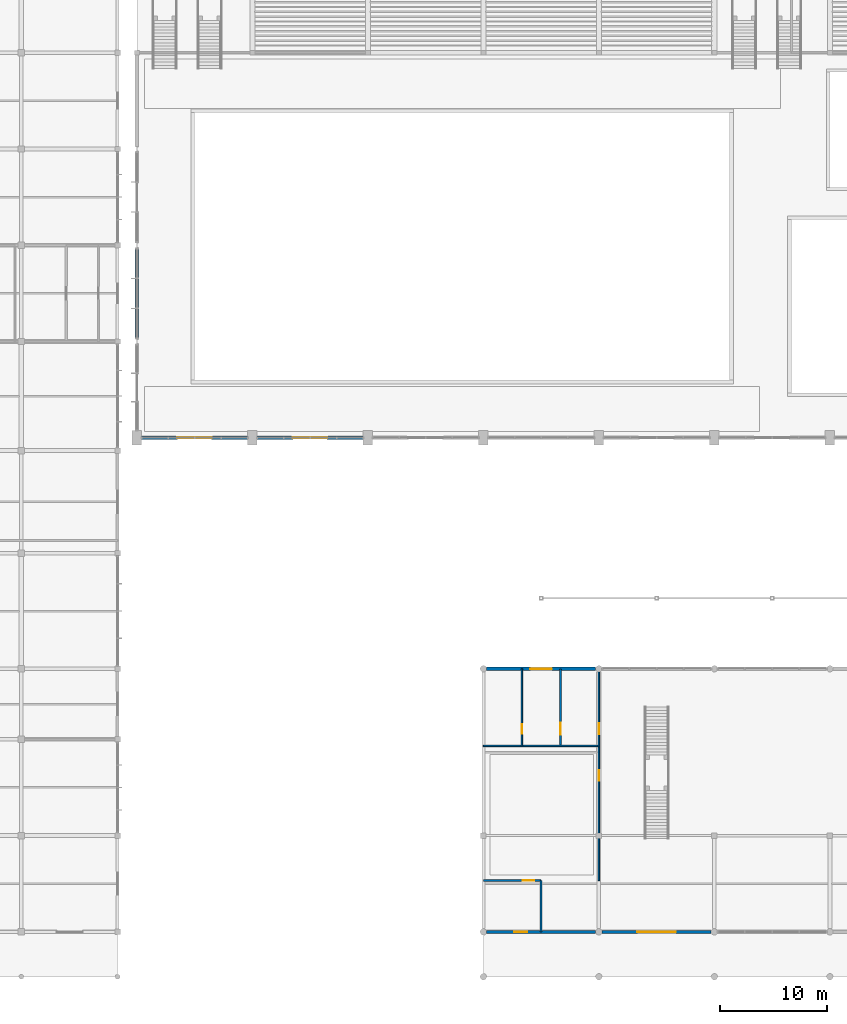
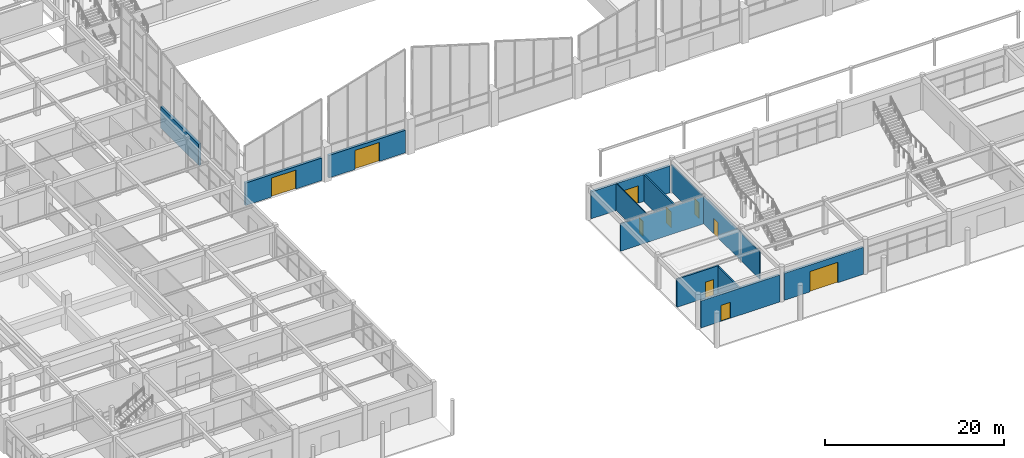
# One storey, part 49 of 82: 13 walls, 10 doors, 10 openings.
"""IFC4 building model written with IfcOpenShell, lengths in metres."""

from ifc_helpers import new_model, si_unit, direction, frame, frame_2d, origin, place, context, subcontext, project, spatial, rectangle, extrude, material, layer, layer_set, type_object, element, fill, save


model = new_model("IFC4")

# Units and contexts
model_context = context("Model", 3, precision=1e-05, world=origin(), true_north=direction((0.0, 1.0)))
body_context = subcontext(model_context, "Body", "Model", "MODEL_VIEW")
ifc_project = project(units=[si_unit("LENGTHUNIT", "METRE"), si_unit("AREAUNIT", "SQUARE_METRE"), si_unit("VOLUMEUNIT", "CUBIC_METRE"), si_unit("PLANEANGLEUNIT", "RADIAN"), si_unit("MASSUNIT", "GRAM", prefix="KILO")], contexts=[model_context])

# Site, building, storey
site_placement = place(None, origin())
site = spatial("IfcSite", under=ifc_project, at=site_placement, CompositionType="ELEMENT")
building_placement = place(site_placement, origin())
building = spatial("IfcBuilding", under=site, at=building_placement, Name="Suirenkawa Promenade Aquatics Centre", CompositionType="ELEMENT")
storey_placement = place(building_placement, origin())
storey = spatial("IfcBuildingStorey", under=building, at=storey_placement, Name="L00", CompositionType="ELEMENT", Elevation=0.0)

# Wall, opening, door
ifc_material_1 = material(Name="Autoclaved aerated concrete blockwork Grade 1", Category="masonry")
ifc_layer_1 = layer(ifc_material_1, 0.199951171875, Name="Autoclaved aerated concrete blockwork Grade 1", Category="masonry")
ifc_layer_set_1 = layer_set([ifc_layer_1], Name="Autoclaved aerated concrete blockwork Grade 1")
wall_type_1 = type_object("IfcWallType", Name="WT-COMP-200", PredefinedType="PARTITIONING", material=ifc_layer_set_1)
wall_1_placement = place(storey_placement, frame((79.199951171875, 9.0, 0.0), z_axis=(0.0, 0.0, 1.0), x_axis=(1.0, 0.0, 0.0)))
wall_1 = element("IfcWall", 1, at=wall_1_placement, inside=storey, type_object=wall_type_1, Name="Interior wall WL-PRT-01 W-7344", PredefinedType="PARTITIONING", context=body_context, shape_type="SweptSolid", body=[
    extrude(rectangle(XDim=5.400146484375, YDim=0.199951171875, at=frame_2d((2.7001953125, 0.0))), origin(), (0.0, 0.0, 1.0), 3.8349609375),
])
opening_1_placement = place(wall_1_placement, frame((3.68701171875, 0.0, 0.0)))
opening_1 = element("IfcOpeningElement", 2, at=opening_1_placement, cuts=wall_1, Name="Opening ID-04", PredefinedType="OPENING", context=body_context, shape_type="SweptSolid", body=[
    extrude(rectangle(XDim=1.050048828125, YDim=2.14990234375, at=frame_2d((0.52490234375, 1.074951171875))), frame((0.0, 0.10986328125, 0.0), z_axis=(0.0, -1.0, 0.0), x_axis=(1.0, 0.0, 0.0)), (0.0, 0.0, 1.0), 0.219970703125),
])
ifc_material_2 = material(Name="Steel IS 2062 E350 (Grade 350)", Category="steel")
door_type_1 = type_object("IfcDoorType", Name="DT-FD120-1050x2150", OperationType="NOTDEFINED", PredefinedType="DOOR", material=ifc_material_2)
door_1_placement = place(opening_1_placement, origin())
door_1 = element("IfcDoor", 3, at=door_1_placement, inside=storey, type_object=door_type_1, Name="Interior door ID-04 DR-INT-0202", OperationType="SINGLE_SWING_LEFT", OverallHeight=2.14990234375, OverallWidth=1.050048828125, PredefinedType="DOOR", context=body_context, shape_type="SweptSolid", body=[
    extrude(rectangle(XDim=1.050048828125, YDim=2.14990234375, at=frame_2d((0.52490234375, 1.074951171875))), frame((0.0, 0.02490234375, 0.0), z_axis=(0.0, -1.0, 0.0), x_axis=(1.0, 0.0, 0.0)), (0.0, 0.0, 1.0), 0.050048828125),
])
fill(opening_1, door_1)

# Wall
wall_2_placement = place(storey_placement, frame((84.60009765625, 4.199951171875, 0.0), z_axis=(0.0, 0.0, 1.0), x_axis=(0.0, 1.0, 0.0)))
element("IfcWall", 4, at=wall_2_placement, inside=storey, type_object=wall_type_1, Name="Interior wall WL-PRT-01 W-7345", PredefinedType="PARTITIONING", context=body_context, shape_type="SweptSolid", body=[
    extrude(rectangle(XDim=4.800048828125, YDim=0.199951171875, at=frame_2d((2.39990234375, 0.0))), origin(), (0.0, 0.0, 1.0), 3.68505859375),
])

# Wall, opening, door
wall_3_placement = place(storey_placement, frame((86.39990234375, 21.60009765625, 0.0), z_axis=(0.0, 0.0, 1.0), x_axis=(0.0, 1.0, 0.0)))
wall_3 = element("IfcWall", 5, at=wall_3_placement, inside=storey, type_object=wall_type_1, Name="Interior wall WL-PRT-01 W-7349", PredefinedType="PARTITIONING", context=body_context, shape_type="SweptSolid", body=[
    extrude(rectangle(XDim=7.199951171875, YDim=0.199951171875, at=frame_2d((3.60009765625, 0.0))), origin(), (0.0, 0.0, 1.0), 3.68505859375),
])
opening_2_placement = place(wall_3_placement, frame((1.009033203125, 0.0, 0.0)))
opening_2 = element("IfcOpeningElement", 6, at=opening_2_placement, cuts=wall_3, Name="Opening ID-03", PredefinedType="OPENING", context=body_context, shape_type="SweptSolid", body=[
    extrude(rectangle(XDim=1.14990234375, YDim=2.199951171875, at=frame_2d((0.574951171875, 1.10009765625))), frame((0.0, 0.10986328125, 0.0), z_axis=(0.0, -1.0, 0.0), x_axis=(1.0, 0.0, 0.0)), (0.0, 0.0, 1.0), 0.219970703125),
])
door_type_2 = type_object("IfcDoorType", Name="DT-FD120-1150x2200", OperationType="NOTDEFINED", PredefinedType="DOOR", material=ifc_material_2)
door_2_placement = place(opening_2_placement, origin())
door_2 = element("IfcDoor", 7, at=door_2_placement, inside=storey, type_object=door_type_2, Name="Interior door ID-03 DR-INT-0205", OperationType="SINGLE_SWING_RIGHT", OverallHeight=2.199951171875, OverallWidth=1.14990234375, PredefinedType="DOOR", context=body_context, shape_type="SweptSolid", body=[
    extrude(rectangle(XDim=1.14990234375, YDim=2.199951171875, at=frame_2d((0.574951171875, 1.10009765625))), frame((0.0, 0.02490234375, 0.0), z_axis=(0.0, -1.0, 0.0), x_axis=(1.0, 0.0, 0.0)), (0.0, 0.0, 1.0), 0.050048828125),
])
fill(opening_2, door_2)

ifc_material_3 = material(Name="Concrete M40", Category="concrete")
ifc_layer_2 = layer(ifc_material_3, 0.2900390625, Name="Concrete M40", Category="concrete")
ifc_layer_set_2 = layer_set([ifc_layer_2], Name="Concrete M40")
wall_type_2 = type_object("IfcWallType", Name="WT-EXT-290", PredefinedType="SOLIDWALL", material=ifc_layer_set_2)
wall_4_placement = place(storey_placement, frame((89.695068359375, 4.199951171875, 0.0), z_axis=(0.0, 0.0, 1.0), x_axis=(-1.0, 0.0, 0.0)))
wall_4 = element("IfcWall", 8, at=wall_4_placement, inside=storey, type_object=wall_type_2, Name="Exterior wall WL-EXT-03 W-5040", PredefinedType="SOLIDWALL", context=body_context, shape_type="SweptSolid", body=[
    extrude(rectangle(XDim=10.190185546875, YDim=0.2900390625, at=frame_2d((5.09521484375, 0.0))), origin(), (0.0, 0.0, 1.0), 3.68505859375),
])
opening_3_placement = place(wall_4_placement, frame((6.39990234375, 0.0, 0.0)))
opening_3 = element("IfcOpeningElement", 9, at=opening_3_placement, cuts=wall_4, Name="Opening ED-10", PredefinedType="OPENING", context=body_context, shape_type="SweptSolid", body=[
    extrude(rectangle(XDim=1.199951171875, YDim=2.199951171875, at=frame_2d((0.60009765625, 1.10009765625))), frame((0.0, 0.155029296875, 0.0), z_axis=(0.0, -1.0, 0.0), x_axis=(1.0, 0.0, 0.0)), (0.0, 0.0, 1.0), 0.31005859375),
])
ifc_material_4 = material(Name="Anodised aluminium 6063-T6", Category="aluminium")
door_type_3 = type_object("IfcDoorType", Name="DT-EXT-FCC-1200x2200", OperationType="NOTDEFINED", PredefinedType="DOOR", material=ifc_material_4)
door_3_placement = place(opening_3_placement, origin())
door_3 = element("IfcDoor", 10, at=door_3_placement, inside=storey, type_object=door_type_3, Name="Exterior door ED-10 DR-EXT-024", OperationType="SINGLE_SWING_LEFT", OverallHeight=2.199951171875, OverallWidth=1.199951171875, PredefinedType="DOOR", context=body_context, shape_type="SweptSolid", body=[
    extrude(rectangle(XDim=1.199951171875, YDim=2.199951171875, at=frame_2d((0.60009765625, 1.10009765625))), frame((0.0, 0.02490234375, 0.0), z_axis=(0.0, -1.0, 0.0), x_axis=(1.0, 0.0, 0.0)), (0.0, 0.0, 1.0), 0.050048828125),
])
fill(opening_3, door_3)

wall_5_placement = place(storey_placement, frame((79.5048828125, 28.800048828125, 0.0), z_axis=(0.0, 0.0, 1.0), x_axis=(1.0, 0.0, 0.0)))
wall_5 = element("IfcWall", 11, at=wall_5_placement, inside=storey, type_object=wall_type_2, Name="Exterior wall WL-EXT-03 W-5041", PredefinedType="SOLIDWALL", context=body_context, shape_type="SweptSolid", body=[
    extrude(rectangle(XDim=10.190185546875, YDim=0.2900390625, at=frame_2d((5.09521484375, 0.0))), origin(), (0.0, 0.0, 1.0), 3.68505859375),
])
opening_4_placement = place(wall_5_placement, frame((4.094970703125, 0.0, 0.0)))
opening_4 = element("IfcOpeningElement", 12, at=opening_4_placement, cuts=wall_5, Name="Opening ED-06", PredefinedType="OPENING", context=body_context, shape_type="SweptSolid", body=[
    extrude(rectangle(XDim=2.0, YDim=2.39990234375, at=frame_2d((1.0, 1.199951171875))), frame((0.0, 0.155029296875, 0.0), z_axis=(0.0, -1.0, 0.0), x_axis=(1.0, 0.0, 0.0)), (0.0, 0.0, 1.0), 0.31005859375),
])
door_type_4 = type_object("IfcDoorType", Name="DT-EXT-CAFE-2000x2400", OperationType="DOUBLE_DOOR_SINGLE_SWING", PredefinedType="DOOR", material=ifc_material_4)
door_4_placement = place(opening_4_placement, origin())
door_4 = element("IfcDoor", 13, at=door_4_placement, inside=storey, type_object=door_type_4, Name="Exterior door ED-06 DR-EXT-025", OperationType="DOUBLE_DOOR_SINGLE_SWING", OverallHeight=2.39990234375, OverallWidth=2.0, PredefinedType="DOOR", context=body_context, shape_type="SweptSolid", body=[
    extrude(rectangle(XDim=2.0, YDim=2.39990234375, at=frame_2d((1.0, 1.199951171875))), frame((0.0, 0.02490234375, 0.0), z_axis=(0.0, -1.0, 0.0), x_axis=(1.0, 0.0, 0.0)), (0.0, 0.0, 1.0), 0.050048828125),
])
fill(opening_4, door_4)

wall_6_placement = place(storey_placement, frame((100.4951171875, 4.199951171875, 0.0), z_axis=(0.0, 0.0, 1.0), x_axis=(-1.0, 0.0, 0.0)))
wall_6 = element("IfcWall", 14, at=wall_6_placement, inside=storey, type_object=wall_type_2, Name="Exterior wall WL-EXT-03 W-5042", PredefinedType="SOLIDWALL", context=body_context, shape_type="SweptSolid", body=[
    extrude(rectangle(XDim=10.190185546875, YDim=0.2900390625, at=frame_2d((5.09521484375, 0.0))), origin(), (0.0, 0.0, 1.0), 3.68505859375),
])
opening_5_placement = place(wall_6_placement, frame((3.294921875, 0.0, 0.0)))
opening_5 = element("IfcOpeningElement", 15, at=opening_5_placement, cuts=wall_6, Name="Opening ED-01", PredefinedType="OPENING", context=body_context, shape_type="SweptSolid", body=[
    extrude(rectangle(XDim=3.60009765625, YDim=2.800048828125, at=frame_2d((1.800048828125, 1.39990234375))), frame((0.0, 0.155029296875, 0.0), z_axis=(0.0, -1.0, 0.0), x_axis=(1.0, 0.0, 0.0)), (0.0, 0.0, 1.0), 0.31005859375),
])
door_type_5 = type_object("IfcDoorType", Name="DT-EXT-MAIN-3600x2800", OperationType="DOUBLE_DOOR_SINGLE_SWING", PredefinedType="DOOR", material=ifc_material_4)
door_5_placement = place(opening_5_placement, origin())
door_5 = element("IfcDoor", 16, at=door_5_placement, inside=storey, type_object=door_type_5, Name="Exterior door ED-01 DR-EXT-026", OperationType="DOUBLE_DOOR_SINGLE_SWING", OverallHeight=2.800048828125, OverallWidth=3.60009765625, PredefinedType="DOOR", context=body_context, shape_type="SweptSolid", body=[
    extrude(rectangle(XDim=3.60009765625, YDim=2.800048828125, at=frame_2d((1.800048828125, 1.39990234375))), frame((0.0, 0.02490234375, 0.0), z_axis=(0.0, -1.0, 0.0), x_axis=(1.0, 0.0, 0.0)), (0.0, 0.0, 1.0), 0.050048828125),
])
fill(opening_5, door_5)

# Wall
ifc_layer_3 = layer(ifc_material_3, 0.31005859375, Name="Concrete M40", Category="concrete")
ifc_layer_set_3 = layer_set([ifc_layer_3], Name="Concrete M40")
wall_type_3 = type_object("IfcWallType", Name="WT-EXT-310", PredefinedType="SOLIDWALL", material=ifc_layer_set_3)
wall_7_placement = place(storey_placement, frame((46.800048828125, 59.6298828125, 0.0), z_axis=(0.0, 0.0, 1.0), x_axis=(0.0, 1.0, 0.0)))
element("IfcWall", 17, at=wall_7_placement, inside=storey, type_object=wall_type_3, Name="Exterior wall WL-EXT-02 W-5019", PredefinedType="SOLIDWALL", context=body_context, shape_type="SweptSolid", body=[
    extrude(rectangle(XDim=8.5400390625, YDim=0.31005859375, at=frame_2d((4.27001953125, 0.0))), origin(), (0.0, 0.0, 1.0), 2.929931640625),
])

# Wall, opening, door
ifc_layer_4 = layer(ifc_material_3, 0.340087890625, Name="Concrete M40", Category="concrete")
ifc_layer_set_4 = layer_set([ifc_layer_4], Name="Concrete M40")
wall_type_4 = type_object("IfcWallType", Name="WT-EXT-340", PredefinedType="SOLIDWALL", material=ifc_layer_set_4)
wall_8_placement = place(storey_placement, frame((57.14501953125, 50.39990234375, 0.0), z_axis=(0.0, 0.0, 1.0), x_axis=(-1.0, 0.0, 0.0)))
wall_8 = element("IfcWall", 18, at=wall_8_placement, inside=storey, type_object=wall_type_4, Name="Exterior wall WL-EXT-01 W-5001", PredefinedType="SOLIDWALL", context=body_context, shape_type="SweptSolid", body=[
    extrude(rectangle(XDim=9.89013671875, YDim=0.340087890625, at=frame_2d((4.945068359375, 0.0))), origin(), (0.0, 0.0, 1.0), 3.080078125),
])
opening_6_placement = place(wall_8_placement, frame((3.344970703125, 0.0, 0.0)))
opening_6 = element("IfcOpeningElement", 19, at=opening_6_placement, cuts=wall_8, Name="Opening ED-02", PredefinedType="OPENING", context=body_context, shape_type="SweptSolid", body=[
    extrude(rectangle(XDim=3.199951171875, YDim=2.60009765625, at=frame_2d((1.60009765625, 1.300048828125))), frame((0.0, 0.179931640625, 0.0), z_axis=(0.0, -1.0, 0.0), x_axis=(1.0, 0.0, 0.0)), (0.0, 0.0, 1.0), 0.360107421875),
])
door_type_6 = type_object("IfcDoorType", Name="DT-EXT-CONC-3200x2600", OperationType="DOUBLE_DOOR_SINGLE_SWING", PredefinedType="DOOR", material=ifc_material_4)
door_6_placement = place(opening_6_placement, origin())
door_6 = element("IfcDoor", 20, at=door_6_placement, inside=storey, type_object=door_type_6, Name="Exterior door ED-02 DR-EXT-001", OperationType="DOUBLE_DOOR_SINGLE_SWING", OverallHeight=2.60009765625, OverallWidth=3.199951171875, PredefinedType="DOOR", context=body_context, shape_type="SweptSolid", body=[
    extrude(rectangle(XDim=3.199951171875, YDim=2.60009765625, at=frame_2d((1.60009765625, 1.300048828125))), frame((0.0, 0.02490234375, 0.0), z_axis=(0.0, -1.0, 0.0), x_axis=(1.0, 0.0, 0.0)), (0.0, 0.0, 1.0), 0.050048828125),
])
fill(opening_6, door_6)

wall_9_placement = place(storey_placement, frame((67.945068359375, 50.39990234375, 0.0), z_axis=(0.0, 0.0, 1.0), x_axis=(-1.0, 0.0, 0.0)))
wall_9 = element("IfcWall", 21, at=wall_9_placement, inside=storey, type_object=wall_type_4, Name="Exterior wall WL-EXT-01 W-5003", PredefinedType="SOLIDWALL", context=body_context, shape_type="SweptSolid", body=[
    extrude(rectangle(XDim=9.89013671875, YDim=0.340087890625, at=frame_2d((4.945068359375, 0.0))), origin(), (0.0, 0.0, 1.0), 3.080078125),
])
opening_7_placement = place(wall_9_placement, frame((3.344970703125, 0.0, 0.0)))
opening_7 = element("IfcOpeningElement", 22, at=opening_7_placement, cuts=wall_9, Name="Opening ED-02", PredefinedType="OPENING", context=body_context, shape_type="SweptSolid", body=[
    extrude(rectangle(XDim=3.199951171875, YDim=2.60009765625, at=frame_2d((1.60009765625, 1.300048828125))), frame((0.0, 0.179931640625, 0.0), z_axis=(0.0, -1.0, 0.0), x_axis=(1.0, 0.0, 0.0)), (0.0, 0.0, 1.0), 0.360107421875),
])
door_7_placement = place(opening_7_placement, origin())
door_7 = element("IfcDoor", 23, at=door_7_placement, inside=storey, type_object=door_type_6, Name="Exterior door ED-02 DR-EXT-003", OperationType="DOUBLE_DOOR_SINGLE_SWING", OverallHeight=2.60009765625, OverallWidth=3.199951171875, PredefinedType="DOOR", context=body_context, shape_type="SweptSolid", body=[
    extrude(rectangle(XDim=3.199951171875, YDim=2.60009765625, at=frame_2d((1.60009765625, 1.300048828125))), frame((0.0, 0.02490234375, 0.0), z_axis=(0.0, -1.0, 0.0), x_axis=(1.0, 0.0, 0.0)), (0.0, 0.0, 1.0), 0.050048828125),
])
fill(opening_7, door_7)

ifc_material_5 = material(Name="Moisture-resistant acoustic gypsum board")
ifc_layer_5 = layer(ifc_material_5, 0.1201171875, Name="Moisture-resistant acoustic gypsum board")
ifc_layer_set_5 = layer_set([ifc_layer_5], Name="Moisture-resistant acoustic gypsum board")
wall_type_5 = type_object("IfcWallType", Name="WT-LIGHT-120", PredefinedType="PARTITIONING", material=ifc_layer_set_5)
wall_10_placement = place(storey_placement, frame((82.800048828125, 21.60009765625, 0.0), z_axis=(0.0, 0.0, 1.0), x_axis=(0.0, 1.0, 0.0)))
wall_10 = element("IfcWall", 24, at=wall_10_placement, inside=storey, type_object=wall_type_5, Name="Interior wall WL-PRT-05 W-7348", PredefinedType="PARTITIONING", context=body_context, shape_type="SweptSolid", body=[
    extrude(rectangle(XDim=7.199951171875, YDim=0.1201171875, at=frame_2d((3.60009765625, 0.0))), origin(), (0.0, 0.0, 1.0), 3.68505859375),
])
opening_8_placement = place(wall_10_placement, frame((1.134033203125, 0.0, 0.0)))
opening_8 = element("IfcOpeningElement", 25, at=opening_8_placement, cuts=wall_10, Name="Opening ID-12", PredefinedType="OPENING", context=body_context, shape_type="SweptSolid", body=[
    extrude(rectangle(XDim=0.89990234375, YDim=2.10009765625, at=frame_2d((0.449951171875, 1.050048828125))), frame((0.0, 0.070068359375, 0.0), z_axis=(0.0, -1.0, 0.0), x_axis=(1.0, 0.0, 0.0)), (0.0, 0.0, 1.0), 0.14013671875),
])
ifc_material_6 = material(Name="Engineered maple acoustic sports timber", Category="wood")
door_type_7 = type_object("IfcDoorType", Name="DT-STD-900x2100", OperationType="NOTDEFINED", PredefinedType="DOOR", material=ifc_material_6)
door_8_placement = place(opening_8_placement, origin())
door_8 = element("IfcDoor", 26, at=door_8_placement, inside=storey, type_object=door_type_7, Name="Interior door ID-12 DR-INT-0204", OperationType="SINGLE_SWING_LEFT", OverallHeight=2.10009765625, OverallWidth=0.89990234375, PredefinedType="DOOR", context=body_context, shape_type="SweptSolid", body=[
    extrude(rectangle(XDim=0.89990234375, YDim=2.10009765625, at=frame_2d((0.449951171875, 1.050048828125))), frame((0.0, 0.02490234375, 0.0), z_axis=(0.0, -1.0, 0.0), x_axis=(1.0, 0.0, 0.0)), (0.0, 0.0, 1.0), 0.050048828125),
])
fill(opening_8, door_8)

ifc_layer_6 = layer(ifc_material_5, 0.139892578125, Name="Moisture-resistant acoustic gypsum board")
ifc_layer_set_6 = layer_set([ifc_layer_6], Name="Moisture-resistant acoustic gypsum board")
wall_type_6 = type_object("IfcWallType", Name="WT-STD-140", PredefinedType="PARTITIONING", material=ifc_layer_set_6)
wall_11_placement = place(storey_placement, frame((90.0, 9.0, 0.0), z_axis=(0.0, 0.0, 1.0), x_axis=(0.0, 1.0, 0.0)))
wall_11 = element("IfcWall", 27, at=wall_11_placement, inside=storey, type_object=wall_type_6, Name="Interior wall WL-PRT-04 W-7346", PredefinedType="PARTITIONING", context=body_context, shape_type="SweptSolid", body=[
    extrude(rectangle(XDim=12.60009765625, YDim=0.139892578125, at=frame_2d((6.300048828125, 0.0))), origin(), (0.0, 0.0, 1.0), 3.784912109375),
])
opening_9_placement = place(wall_11_placement, frame((9.35302734375, 0.0, 0.0)))
opening_9 = element("IfcOpeningElement", 28, at=opening_9_placement, cuts=wall_11, Name="Opening ID-11", PredefinedType="OPENING", context=body_context, shape_type="SweptSolid", body=[
    extrude(rectangle(XDim=0.949951171875, YDim=2.10009765625, at=frame_2d((0.47509765625, 1.050048828125))), frame((0.0, 0.079833984375, 0.0), z_axis=(0.0, -1.0, 0.0), x_axis=(1.0, 0.0, 0.0)), (0.0, 0.0, 1.0), 0.159912109375),
])
door_type_8 = type_object("IfcDoorType", Name="DT-STD-950x2100", OperationType="NOTDEFINED", PredefinedType="DOOR", material=ifc_material_6)
door_9_placement = place(opening_9_placement, origin())
door_9 = element("IfcDoor", 29, at=door_9_placement, inside=storey, type_object=door_type_8, Name="Interior door ID-11 DR-INT-0203", OperationType="SINGLE_SWING_RIGHT", OverallHeight=2.10009765625, OverallWidth=0.949951171875, PredefinedType="DOOR", context=body_context, shape_type="SweptSolid", body=[
    extrude(rectangle(XDim=0.949951171875, YDim=2.10009765625, at=frame_2d((0.47509765625, 1.050048828125))), frame((0.0, 0.02490234375, 0.0), z_axis=(0.0, -1.0, 0.0), x_axis=(1.0, 0.0, 0.0)), (0.0, 0.0, 1.0), 0.050048828125),
])
fill(opening_9, door_9)

# Wall
wall_12_placement = place(storey_placement, frame((79.199951171875, 21.60009765625, 0.0), z_axis=(0.0, 0.0, 1.0), x_axis=(1.0, 0.0, 0.0)))
element("IfcWall", 30, at=wall_12_placement, inside=storey, type_object=wall_type_6, Name="Interior wall WL-PRT-04 W-7347", PredefinedType="PARTITIONING", context=body_context, shape_type="SweptSolid", body=[
    extrude(rectangle(XDim=10.800048828125, YDim=0.139892578125, at=frame_2d((5.39990234375, 0.0))), origin(), (0.0, 0.0, 1.0), 3.784912109375),
])

# Wall, opening, door
wall_13_placement = place(storey_placement, frame((90.0, 21.60009765625, 0.0), z_axis=(0.0, 0.0, 1.0), x_axis=(0.0, 1.0, 0.0)))
wall_13 = element("IfcWall", 31, at=wall_13_placement, inside=storey, type_object=wall_type_6, Name="Interior wall WL-PRT-04 W-7350", PredefinedType="PARTITIONING", context=body_context, shape_type="SweptSolid", body=[
    extrude(rectangle(XDim=7.199951171875, YDim=0.139892578125, at=frame_2d((3.60009765625, 0.0))), origin(), (0.0, 0.0, 1.0), 3.68505859375),
])
opening_10_placement = place(wall_13_placement, frame((1.05908203125, 0.0, 0.0)))
opening_10 = element("IfcOpeningElement", 32, at=opening_10_placement, cuts=wall_13, Name="Opening ID-08", PredefinedType="OPENING", context=body_context, shape_type="SweptSolid", body=[
    extrude(rectangle(XDim=1.050048828125, YDim=2.199951171875, at=frame_2d((0.52490234375, 1.10009765625))), frame((0.0, 0.079833984375, 0.0), z_axis=(0.0, -1.0, 0.0), x_axis=(1.0, 0.0, 0.0)), (0.0, 0.0, 1.0), 0.159912109375),
])
door_type_9 = type_object("IfcDoorType", Name="DT-ACC-1050x2200", OperationType="NOTDEFINED", PredefinedType="DOOR", material=ifc_material_4)
door_10_placement = place(opening_10_placement, origin())
door_10 = element("IfcDoor", 33, at=door_10_placement, inside=storey, type_object=door_type_9, Name="Interior door ID-08 DR-INT-0206", OperationType="SINGLE_SWING_LEFT", OverallHeight=2.199951171875, OverallWidth=1.050048828125, PredefinedType="DOOR", context=body_context, shape_type="SweptSolid", body=[
    extrude(rectangle(XDim=1.050048828125, YDim=2.199951171875, at=frame_2d((0.52490234375, 1.10009765625))), frame((0.0, 0.02490234375, 0.0), z_axis=(0.0, -1.0, 0.0), x_axis=(1.0, 0.0, 0.0)), (0.0, 0.0, 1.0), 0.050048828125),
])
fill(opening_10, door_10)

save(model, "model.ifc")
